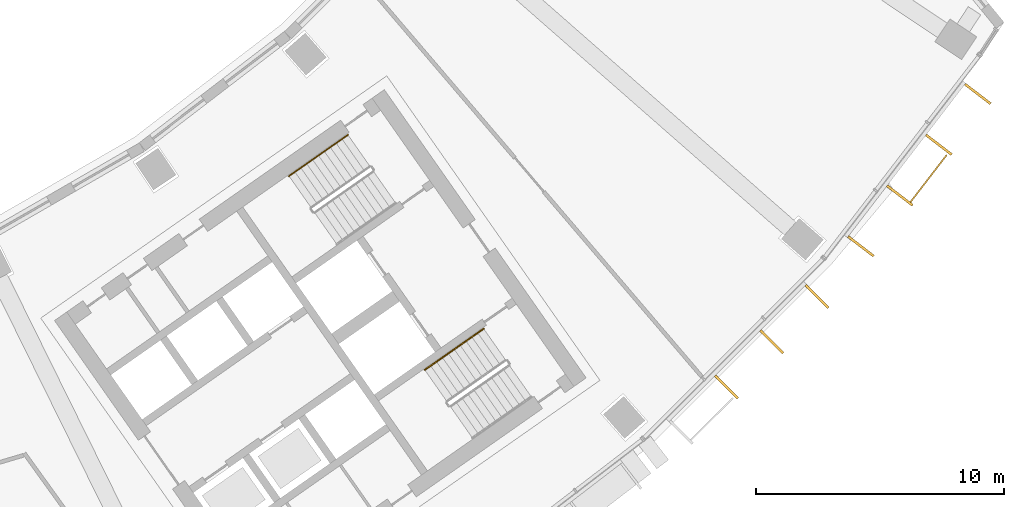
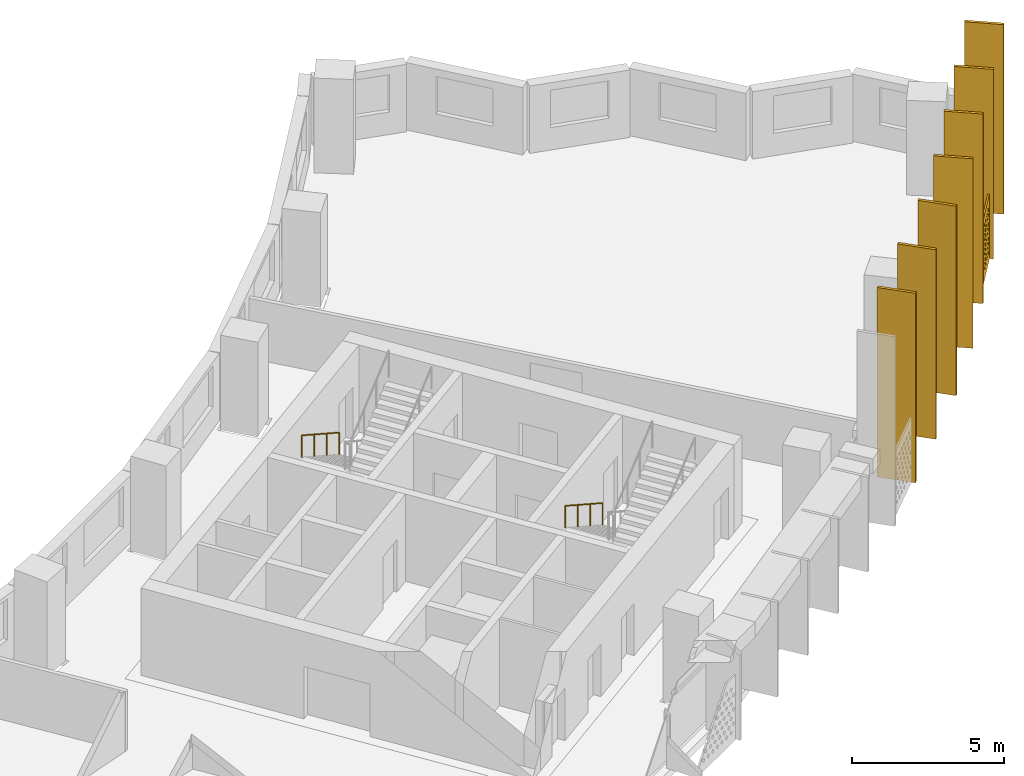
# One storey, part 29 of 31: 8 shading devices, 2 railings.
"""IFC4 building model written with IfcOpenShell, lengths in metres."""

from ifc_helpers import new_model, si_unit, direction, frame, origin, origin_2d, place, context, subcontext, project, spatial, polyline, rectangle, circle, outline, extrude, material, material_profile, profile_set, type_object, element, save


model = new_model("IFC4")

# Units and contexts
model_context = context("Model", 3, precision=1e-05, world=origin(), true_north=direction((0.0, 1.0)))
body_context = subcontext(model_context, "Body", "Model", "MODEL_VIEW")
ifc_project = project(units=[si_unit("LENGTHUNIT", "METRE"), si_unit("AREAUNIT", "SQUARE_METRE"), si_unit("VOLUMEUNIT", "CUBIC_METRE"), si_unit("PLANEANGLEUNIT", "RADIAN"), si_unit("MASSUNIT", "GRAM", prefix="KILO")], contexts=[model_context])

# Site, building, storey
site_placement = place(None, origin())
site = spatial("IfcSite", under=ifc_project, at=site_placement, CompositionType="ELEMENT")
building_placement = place(site_placement, origin())
building = spatial("IfcBuilding", under=site, at=building_placement, Name="Qamariyya Broadcast Tower", CompositionType="ELEMENT")
storey_placement = place(building_placement, frame((0.0, 0.0, 149.300048828125)))
storey = spatial("IfcBuildingStorey", under=building, at=storey_placement, Name="L34", CompositionType="ELEMENT", Elevation=149.300048828125)

# Shading device
ifc_material_1 = material(Name="Perforated glazed terracotta", Category="masonry")
ifc_material_profile_1 = material_profile(ifc_material_1, outline(polyline([(-1.199951171875, -1.300048828125), (1.199951171875, -1.300048828125), (1.199951171875, 1.300048828125), (-1.199951171875, 1.300048828125), (-1.199951171875, -1.300048828125)]), holes=[polyline([(-0.81494140625, -0.86669921875), (-0.89990234375, -0.78173828125), (-0.985107421875, -0.86669921875), (-0.89990234375, -0.95166015625), (-0.81494140625, -0.86669921875)]), polyline([(-0.514892578125, -0.86669921875), (-0.60009765625, -0.78173828125), (-0.68505859375, -0.86669921875), (-0.60009765625, -0.95166015625), (-0.514892578125, -0.86669921875)]), polyline([(-0.215087890625, -0.86669921875), (-0.300048828125, -0.78173828125), (-0.385009765625, -0.86669921875), (-0.300048828125, -0.95166015625), (-0.215087890625, -0.86669921875)]), polyline([(0.0849609375, -0.86669921875), (0.0, -0.78173828125), (-0.0849609375, -0.86669921875), (0.0, -0.95166015625), (0.0849609375, -0.86669921875)]), polyline([(0.385009765625, -0.86669921875), (0.300048828125, -0.78173828125), (0.215087890625, -0.86669921875), (0.300048828125, -0.95166015625), (0.385009765625, -0.86669921875)]), polyline([(0.68505859375, -0.86669921875), (0.60009765625, -0.78173828125), (0.514892578125, -0.86669921875), (0.60009765625, -0.95166015625), (0.68505859375, -0.86669921875)]), polyline([(0.985107421875, -0.86669921875), (0.89990234375, -0.78173828125), (0.81494140625, -0.86669921875), (0.89990234375, -0.95166015625), (0.985107421875, -0.86669921875)]), polyline([(-0.965087890625, -0.577880859375), (-1.050048828125, -0.49267578125), (-1.135009765625, -0.577880859375), (-1.050048828125, -0.662841796875), (-0.965087890625, -0.577880859375)]), polyline([(-0.6650390625, -0.577880859375), (-0.75, -0.49267578125), (-0.8349609375, -0.577880859375), (-0.75, -0.662841796875), (-0.6650390625, -0.577880859375)]), polyline([(-0.364990234375, -0.577880859375), (-0.449951171875, -0.49267578125), (-0.534912109375, -0.577880859375), (-0.449951171875, -0.662841796875), (-0.364990234375, -0.577880859375)]), polyline([(-0.06494140625, -0.577880859375), (-0.14990234375, -0.49267578125), (-0.235107421875, -0.577880859375), (-0.14990234375, -0.662841796875), (-0.06494140625, -0.577880859375)]), polyline([(0.235107421875, -0.577880859375), (0.14990234375, -0.49267578125), (0.06494140625, -0.577880859375), (0.14990234375, -0.662841796875), (0.235107421875, -0.577880859375)]), polyline([(0.534912109375, -0.577880859375), (0.449951171875, -0.49267578125), (0.364990234375, -0.577880859375), (0.449951171875, -0.662841796875), (0.534912109375, -0.577880859375)]), polyline([(0.8349609375, -0.577880859375), (0.75, -0.49267578125), (0.6650390625, -0.577880859375), (0.75, -0.662841796875), (0.8349609375, -0.577880859375)]), polyline([(1.135009765625, -0.577880859375), (1.050048828125, -0.49267578125), (0.965087890625, -0.577880859375), (1.050048828125, -0.662841796875), (1.135009765625, -0.577880859375)]), polyline([(-0.81494140625, -0.288818359375), (-0.89990234375, -0.203857421875), (-0.985107421875, -0.288818359375), (-0.89990234375, -0.373779296875), (-0.81494140625, -0.288818359375)]), polyline([(-0.514892578125, -0.288818359375), (-0.60009765625, -0.203857421875), (-0.68505859375, -0.288818359375), (-0.60009765625, -0.373779296875), (-0.514892578125, -0.288818359375)]), polyline([(-0.215087890625, -0.288818359375), (-0.300048828125, -0.203857421875), (-0.385009765625, -0.288818359375), (-0.300048828125, -0.373779296875), (-0.215087890625, -0.288818359375)]), polyline([(0.0849609375, -0.288818359375), (0.0, -0.203857421875), (-0.0849609375, -0.288818359375), (0.0, -0.373779296875), (0.0849609375, -0.288818359375)]), polyline([(0.385009765625, -0.288818359375), (0.300048828125, -0.203857421875), (0.215087890625, -0.288818359375), (0.300048828125, -0.373779296875), (0.385009765625, -0.288818359375)]), polyline([(0.68505859375, -0.288818359375), (0.60009765625, -0.203857421875), (0.514892578125, -0.288818359375), (0.60009765625, -0.373779296875), (0.68505859375, -0.288818359375)]), polyline([(0.985107421875, -0.288818359375), (0.89990234375, -0.203857421875), (0.81494140625, -0.288818359375), (0.89990234375, -0.373779296875), (0.985107421875, -0.288818359375)]), polyline([(-0.965087890625, 0.0), (-1.050048828125, 0.0849609375), (-1.135009765625, 0.0), (-1.050048828125, -0.0849609375), (-0.965087890625, 0.0)]), polyline([(-0.6650390625, 0.0), (-0.75, 0.0849609375), (-0.8349609375, 0.0), (-0.75, -0.0849609375), (-0.6650390625, 0.0)]), polyline([(-0.364990234375, 0.0), (-0.449951171875, 0.0849609375), (-0.534912109375, 0.0), (-0.449951171875, -0.0849609375), (-0.364990234375, 0.0)]), polyline([(-0.06494140625, 0.0), (-0.14990234375, 0.0849609375), (-0.235107421875, 0.0), (-0.14990234375, -0.0849609375), (-0.06494140625, 0.0)]), polyline([(0.235107421875, 0.0), (0.14990234375, 0.0849609375), (0.06494140625, 0.0), (0.14990234375, -0.0849609375), (0.235107421875, 0.0)]), polyline([(0.534912109375, 0.0), (0.449951171875, 0.0849609375), (0.364990234375, 0.0), (0.449951171875, -0.0849609375), (0.534912109375, 0.0)]), polyline([(0.8349609375, 0.0), (0.75, 0.0849609375), (0.6650390625, 0.0), (0.75, -0.0849609375), (0.8349609375, 0.0)]), polyline([(1.135009765625, 0.0), (1.050048828125, 0.0849609375), (0.965087890625, 0.0), (1.050048828125, -0.0849609375), (1.135009765625, 0.0)]), polyline([(-0.81494140625, 0.288818359375), (-0.89990234375, 0.373779296875), (-0.985107421875, 0.288818359375), (-0.89990234375, 0.203857421875), (-0.81494140625, 0.288818359375)]), polyline([(-0.514892578125, 0.288818359375), (-0.60009765625, 0.373779296875), (-0.68505859375, 0.288818359375), (-0.60009765625, 0.203857421875), (-0.514892578125, 0.288818359375)]), polyline([(-0.215087890625, 0.288818359375), (-0.300048828125, 0.373779296875), (-0.385009765625, 0.288818359375), (-0.300048828125, 0.203857421875), (-0.215087890625, 0.288818359375)]), polyline([(0.0849609375, 0.288818359375), (0.0, 0.373779296875), (-0.0849609375, 0.288818359375), (0.0, 0.203857421875), (0.0849609375, 0.288818359375)]), polyline([(0.385009765625, 0.288818359375), (0.300048828125, 0.373779296875), (0.215087890625, 0.288818359375), (0.300048828125, 0.203857421875), (0.385009765625, 0.288818359375)]), polyline([(0.68505859375, 0.288818359375), (0.60009765625, 0.373779296875), (0.514892578125, 0.288818359375), (0.60009765625, 0.203857421875), (0.68505859375, 0.288818359375)]), polyline([(0.985107421875, 0.288818359375), (0.89990234375, 0.373779296875), (0.81494140625, 0.288818359375), (0.89990234375, 0.203857421875), (0.985107421875, 0.288818359375)]), polyline([(-0.965087890625, 0.577880859375), (-1.050048828125, 0.662841796875), (-1.135009765625, 0.577880859375), (-1.050048828125, 0.49267578125), (-0.965087890625, 0.577880859375)]), polyline([(-0.6650390625, 0.577880859375), (-0.75, 0.662841796875), (-0.8349609375, 0.577880859375), (-0.75, 0.49267578125), (-0.6650390625, 0.577880859375)]), polyline([(-0.364990234375, 0.577880859375), (-0.449951171875, 0.662841796875), (-0.534912109375, 0.577880859375), (-0.449951171875, 0.49267578125), (-0.364990234375, 0.577880859375)]), polyline([(-0.06494140625, 0.577880859375), (-0.14990234375, 0.662841796875), (-0.235107421875, 0.577880859375), (-0.14990234375, 0.49267578125), (-0.06494140625, 0.577880859375)]), polyline([(0.235107421875, 0.577880859375), (0.14990234375, 0.662841796875), (0.06494140625, 0.577880859375), (0.14990234375, 0.49267578125), (0.235107421875, 0.577880859375)]), polyline([(0.534912109375, 0.577880859375), (0.449951171875, 0.662841796875), (0.364990234375, 0.577880859375), (0.449951171875, 0.49267578125), (0.534912109375, 0.577880859375)]), polyline([(0.8349609375, 0.577880859375), (0.75, 0.662841796875), (0.6650390625, 0.577880859375), (0.75, 0.49267578125), (0.8349609375, 0.577880859375)]), polyline([(1.135009765625, 0.577880859375), (1.050048828125, 0.662841796875), (0.965087890625, 0.577880859375), (1.050048828125, 0.49267578125), (1.135009765625, 0.577880859375)]), polyline([(-0.81494140625, 0.86669921875), (-0.89990234375, 0.95166015625), (-0.985107421875, 0.86669921875), (-0.89990234375, 0.78173828125), (-0.81494140625, 0.86669921875)]), polyline([(-0.514892578125, 0.86669921875), (-0.60009765625, 0.95166015625), (-0.68505859375, 0.86669921875), (-0.60009765625, 0.78173828125), (-0.514892578125, 0.86669921875)]), polyline([(-0.215087890625, 0.86669921875), (-0.300048828125, 0.95166015625), (-0.385009765625, 0.86669921875), (-0.300048828125, 0.78173828125), (-0.215087890625, 0.86669921875)]), polyline([(0.0849609375, 0.86669921875), (0.0, 0.95166015625), (-0.0849609375, 0.86669921875), (0.0, 0.78173828125), (0.0849609375, 0.86669921875)]), polyline([(0.385009765625, 0.86669921875), (0.300048828125, 0.95166015625), (0.215087890625, 0.86669921875), (0.300048828125, 0.78173828125), (0.385009765625, 0.86669921875)]), polyline([(0.68505859375, 0.86669921875), (0.60009765625, 0.95166015625), (0.514892578125, 0.86669921875), (0.60009765625, 0.78173828125), (0.68505859375, 0.86669921875)]), polyline([(0.985107421875, 0.86669921875), (0.89990234375, 0.95166015625), (0.81494140625, 0.86669921875), (0.89990234375, 0.78173828125), (0.985107421875, 0.86669921875)])]))
ifc_profile_set_1 = profile_set([ifc_material_profile_1], Name="Perforated glazed terracotta")
shading_device_type_1 = type_object("IfcShadingDeviceType", Name="Perforated terracotta screen 2400 x 2600", PredefinedType="USERDEFINED", material=ifc_profile_set_1)
shading_device_placement = place(storey_placement, frame((63.52294921875, -48.79541015625, 1.349853515625), z_axis=(0.792623989105, -0.60971076085, 0.0), x_axis=(0.60971076085, 0.792623989105, 0.0)))
element("IfcShadingDevice", 1, at=shading_device_placement, inside=storey, type_object=shading_device_type_1, Name="e-scr-L34-14-1", ObjectType="SCREEN", PredefinedType="USERDEFINED", context=body_context, shape_type="SweptSolid", body=[
    extrude(outline(polyline([(-1.199951171875, -1.300048828125), (1.199951171875, -1.300048828125), (1.199951171875, 1.300048828125), (-1.199951171875, 1.300048828125), (-1.199951171875, -1.300048828125)]), holes=[polyline([(-0.81494140625, -0.86669921875), (-0.89990234375, -0.78173828125), (-0.985107421875, -0.86669921875), (-0.89990234375, -0.95166015625), (-0.81494140625, -0.86669921875)]), polyline([(-0.514892578125, -0.86669921875), (-0.60009765625, -0.78173828125), (-0.68505859375, -0.86669921875), (-0.60009765625, -0.95166015625), (-0.514892578125, -0.86669921875)]), polyline([(-0.215087890625, -0.86669921875), (-0.300048828125, -0.78173828125), (-0.385009765625, -0.86669921875), (-0.300048828125, -0.95166015625), (-0.215087890625, -0.86669921875)]), polyline([(0.0849609375, -0.86669921875), (0.0, -0.78173828125), (-0.0849609375, -0.86669921875), (0.0, -0.95166015625), (0.0849609375, -0.86669921875)]), polyline([(0.385009765625, -0.86669921875), (0.300048828125, -0.78173828125), (0.215087890625, -0.86669921875), (0.300048828125, -0.95166015625), (0.385009765625, -0.86669921875)]), polyline([(0.68505859375, -0.86669921875), (0.60009765625, -0.78173828125), (0.514892578125, -0.86669921875), (0.60009765625, -0.95166015625), (0.68505859375, -0.86669921875)]), polyline([(0.985107421875, -0.86669921875), (0.89990234375, -0.78173828125), (0.81494140625, -0.86669921875), (0.89990234375, -0.95166015625), (0.985107421875, -0.86669921875)]), polyline([(-0.965087890625, -0.577880859375), (-1.050048828125, -0.49267578125), (-1.135009765625, -0.577880859375), (-1.050048828125, -0.662841796875), (-0.965087890625, -0.577880859375)]), polyline([(-0.6650390625, -0.577880859375), (-0.75, -0.49267578125), (-0.8349609375, -0.577880859375), (-0.75, -0.662841796875), (-0.6650390625, -0.577880859375)]), polyline([(-0.364990234375, -0.577880859375), (-0.449951171875, -0.49267578125), (-0.534912109375, -0.577880859375), (-0.449951171875, -0.662841796875), (-0.364990234375, -0.577880859375)]), polyline([(-0.06494140625, -0.577880859375), (-0.14990234375, -0.49267578125), (-0.235107421875, -0.577880859375), (-0.14990234375, -0.662841796875), (-0.06494140625, -0.577880859375)]), polyline([(0.235107421875, -0.577880859375), (0.14990234375, -0.49267578125), (0.06494140625, -0.577880859375), (0.14990234375, -0.662841796875), (0.235107421875, -0.577880859375)]), polyline([(0.534912109375, -0.577880859375), (0.449951171875, -0.49267578125), (0.364990234375, -0.577880859375), (0.449951171875, -0.662841796875), (0.534912109375, -0.577880859375)]), polyline([(0.8349609375, -0.577880859375), (0.75, -0.49267578125), (0.6650390625, -0.577880859375), (0.75, -0.662841796875), (0.8349609375, -0.577880859375)]), polyline([(1.135009765625, -0.577880859375), (1.050048828125, -0.49267578125), (0.965087890625, -0.577880859375), (1.050048828125, -0.662841796875), (1.135009765625, -0.577880859375)]), polyline([(-0.81494140625, -0.288818359375), (-0.89990234375, -0.203857421875), (-0.985107421875, -0.288818359375), (-0.89990234375, -0.373779296875), (-0.81494140625, -0.288818359375)]), polyline([(-0.514892578125, -0.288818359375), (-0.60009765625, -0.203857421875), (-0.68505859375, -0.288818359375), (-0.60009765625, -0.373779296875), (-0.514892578125, -0.288818359375)]), polyline([(-0.215087890625, -0.288818359375), (-0.300048828125, -0.203857421875), (-0.385009765625, -0.288818359375), (-0.300048828125, -0.373779296875), (-0.215087890625, -0.288818359375)]), polyline([(0.0849609375, -0.288818359375), (0.0, -0.203857421875), (-0.0849609375, -0.288818359375), (0.0, -0.373779296875), (0.0849609375, -0.288818359375)]), polyline([(0.385009765625, -0.288818359375), (0.300048828125, -0.203857421875), (0.215087890625, -0.288818359375), (0.300048828125, -0.373779296875), (0.385009765625, -0.288818359375)]), polyline([(0.68505859375, -0.288818359375), (0.60009765625, -0.203857421875), (0.514892578125, -0.288818359375), (0.60009765625, -0.373779296875), (0.68505859375, -0.288818359375)]), polyline([(0.985107421875, -0.288818359375), (0.89990234375, -0.203857421875), (0.81494140625, -0.288818359375), (0.89990234375, -0.373779296875), (0.985107421875, -0.288818359375)]), polyline([(-0.965087890625, 0.0), (-1.050048828125, 0.0849609375), (-1.135009765625, 0.0), (-1.050048828125, -0.0849609375), (-0.965087890625, 0.0)]), polyline([(-0.6650390625, 0.0), (-0.75, 0.0849609375), (-0.8349609375, 0.0), (-0.75, -0.0849609375), (-0.6650390625, 0.0)]), polyline([(-0.364990234375, 0.0), (-0.449951171875, 0.0849609375), (-0.534912109375, 0.0), (-0.449951171875, -0.0849609375), (-0.364990234375, 0.0)]), polyline([(-0.06494140625, 0.0), (-0.14990234375, 0.0849609375), (-0.235107421875, 0.0), (-0.14990234375, -0.0849609375), (-0.06494140625, 0.0)]), polyline([(0.235107421875, 0.0), (0.14990234375, 0.0849609375), (0.06494140625, 0.0), (0.14990234375, -0.0849609375), (0.235107421875, 0.0)]), polyline([(0.534912109375, 0.0), (0.449951171875, 0.0849609375), (0.364990234375, 0.0), (0.449951171875, -0.0849609375), (0.534912109375, 0.0)]), polyline([(0.8349609375, 0.0), (0.75, 0.0849609375), (0.6650390625, 0.0), (0.75, -0.0849609375), (0.8349609375, 0.0)]), polyline([(1.135009765625, 0.0), (1.050048828125, 0.0849609375), (0.965087890625, 0.0), (1.050048828125, -0.0849609375), (1.135009765625, 0.0)]), polyline([(-0.81494140625, 0.288818359375), (-0.89990234375, 0.373779296875), (-0.985107421875, 0.288818359375), (-0.89990234375, 0.203857421875), (-0.81494140625, 0.288818359375)]), polyline([(-0.514892578125, 0.288818359375), (-0.60009765625, 0.373779296875), (-0.68505859375, 0.288818359375), (-0.60009765625, 0.203857421875), (-0.514892578125, 0.288818359375)]), polyline([(-0.215087890625, 0.288818359375), (-0.300048828125, 0.373779296875), (-0.385009765625, 0.288818359375), (-0.300048828125, 0.203857421875), (-0.215087890625, 0.288818359375)]), polyline([(0.0849609375, 0.288818359375), (0.0, 0.373779296875), (-0.0849609375, 0.288818359375), (0.0, 0.203857421875), (0.0849609375, 0.288818359375)]), polyline([(0.385009765625, 0.288818359375), (0.300048828125, 0.373779296875), (0.215087890625, 0.288818359375), (0.300048828125, 0.203857421875), (0.385009765625, 0.288818359375)]), polyline([(0.68505859375, 0.288818359375), (0.60009765625, 0.373779296875), (0.514892578125, 0.288818359375), (0.60009765625, 0.203857421875), (0.68505859375, 0.288818359375)]), polyline([(0.985107421875, 0.288818359375), (0.89990234375, 0.373779296875), (0.81494140625, 0.288818359375), (0.89990234375, 0.203857421875), (0.985107421875, 0.288818359375)]), polyline([(-0.965087890625, 0.577880859375), (-1.050048828125, 0.662841796875), (-1.135009765625, 0.577880859375), (-1.050048828125, 0.49267578125), (-0.965087890625, 0.577880859375)]), polyline([(-0.6650390625, 0.577880859375), (-0.75, 0.662841796875), (-0.8349609375, 0.577880859375), (-0.75, 0.49267578125), (-0.6650390625, 0.577880859375)]), polyline([(-0.364990234375, 0.577880859375), (-0.449951171875, 0.662841796875), (-0.534912109375, 0.577880859375), (-0.449951171875, 0.49267578125), (-0.364990234375, 0.577880859375)]), polyline([(-0.06494140625, 0.577880859375), (-0.14990234375, 0.662841796875), (-0.235107421875, 0.577880859375), (-0.14990234375, 0.49267578125), (-0.06494140625, 0.577880859375)]), polyline([(0.235107421875, 0.577880859375), (0.14990234375, 0.662841796875), (0.06494140625, 0.577880859375), (0.14990234375, 0.49267578125), (0.235107421875, 0.577880859375)]), polyline([(0.534912109375, 0.577880859375), (0.449951171875, 0.662841796875), (0.364990234375, 0.577880859375), (0.449951171875, 0.49267578125), (0.534912109375, 0.577880859375)]), polyline([(0.8349609375, 0.577880859375), (0.75, 0.662841796875), (0.6650390625, 0.577880859375), (0.75, 0.49267578125), (0.8349609375, 0.577880859375)]), polyline([(1.135009765625, 0.577880859375), (1.050048828125, 0.662841796875), (0.965087890625, 0.577880859375), (1.050048828125, 0.49267578125), (1.135009765625, 0.577880859375)]), polyline([(-0.81494140625, 0.86669921875), (-0.89990234375, 0.95166015625), (-0.985107421875, 0.86669921875), (-0.89990234375, 0.78173828125), (-0.81494140625, 0.86669921875)]), polyline([(-0.514892578125, 0.86669921875), (-0.60009765625, 0.95166015625), (-0.68505859375, 0.86669921875), (-0.60009765625, 0.78173828125), (-0.514892578125, 0.86669921875)]), polyline([(-0.215087890625, 0.86669921875), (-0.300048828125, 0.95166015625), (-0.385009765625, 0.86669921875), (-0.300048828125, 0.78173828125), (-0.215087890625, 0.86669921875)]), polyline([(0.0849609375, 0.86669921875), (0.0, 0.95166015625), (-0.0849609375, 0.86669921875), (0.0, 0.78173828125), (0.0849609375, 0.86669921875)]), polyline([(0.385009765625, 0.86669921875), (0.300048828125, 0.95166015625), (0.215087890625, 0.86669921875), (0.300048828125, 0.78173828125), (0.385009765625, 0.86669921875)]), polyline([(0.68505859375, 0.86669921875), (0.60009765625, 0.95166015625), (0.514892578125, 0.86669921875), (0.60009765625, 0.78173828125), (0.68505859375, 0.86669921875)]), polyline([(0.985107421875, 0.86669921875), (0.89990234375, 0.95166015625), (0.81494140625, 0.86669921875), (0.89990234375, 0.78173828125), (0.985107421875, 0.86669921875)])]), origin(), (0.0, 0.0, 1.0), 0.06005859375),
])

# Railings
ifc_material_2 = material(Name="Stainless steel", Category="steel")
railing_type = type_object("IfcRailingType", Name="Stair handrail", PredefinedType="HANDRAIL", material=ifc_material_2)
railing_1_placement = place(storey_placement, frame((40.1142578125, -47.05029296875, 0.172607421875)))
element("IfcRailing", 2, at=railing_1_placement, inside=storey, type_object=railing_type, Name="L34 ST-E2 stair handrail 1", PredefinedType="HANDRAIL", context=body_context, shape_type="SweptSolid", body=[
    extrude(circle(Radius=0.02392578125, at=origin_2d()), frame((0.0, 0.0, 0.8759765625), z_axis=(-0.703745009021, -0.492838488332, 0.511715923826), x_axis=(0.573631830683, -0.819113253969, 0.0)), (0.0, 0.0, 1.0), 3.37548828125),
    extrude(circle(Radius=0.02099609375, at=origin_2d()), origin(), (0.0, 0.0, 1.0), 0.851806640625),
    extrude(circle(Radius=0.02099609375, at=origin_2d()), frame((-0.791748046875, -0.554443359375, 0.57568359375)), (0.0, 0.0, 1.0), 0.851806640625),
    extrude(circle(Radius=0.02099609375, at=origin_2d()), frame((-1.583740234375, -1.109130859375, 1.151611328125)), (0.0, 0.0, 1.0), 0.851806640625),
    extrude(circle(Radius=0.02099609375, at=origin_2d()), frame((-2.37548828125, -1.66357421875, 1.727294921875)), (0.0, 0.0, 1.0), 0.851806640625),
])
railing_2_placement = place(storey_placement, frame((45.591796875, -54.873291015625, 0.172607421875)))
element("IfcRailing", 3, at=railing_2_placement, inside=storey, type_object=railing_type, Name="L34 ST-E1 stair handrail 1", PredefinedType="HANDRAIL", context=body_context, shape_type="SweptSolid", body=[
    extrude(circle(Radius=0.02392578125, at=origin_2d()), frame((0.0, 0.0, 0.8759765625), z_axis=(-0.703770094002, -0.492783725636, 0.511734163933), x_axis=(0.573575343427, -0.819152809562, 0.0)), (0.0, 0.0, 1.0), 3.37548828125),
    extrude(circle(Radius=0.02099609375, at=origin_2d()), origin(), (0.0, 0.0, 1.0), 0.851806640625),
    extrude(circle(Radius=0.02099609375, at=origin_2d()), frame((-0.791748046875, -0.554443359375, 0.57568359375)), (0.0, 0.0, 1.0), 0.851806640625),
    extrude(circle(Radius=0.02099609375, at=origin_2d()), frame((-1.583740234375, -1.10888671875, 1.151611328125)), (0.0, 0.0, 1.0), 0.851806640625),
    extrude(circle(Radius=0.02099609375, at=origin_2d()), frame((-2.37548828125, -1.663330078125, 1.727294921875)), (0.0, 0.0, 1.0), 0.851806640625),
])

# Shading devices
ifc_material_3 = material(Name="Glazed terracotta", Category="masonry")
ifc_material_profile_2 = material_profile(ifc_material_3, rectangle(XDim=1.300048828125, YDim=0.10009765625, at=origin_2d()))
ifc_profile_set_2 = profile_set([ifc_material_profile_2], Name="Glazed terracotta")
shading_device_type_2 = type_object("IfcShadingDeviceType", Name="Terracotta fin 100 x 1300", PredefinedType="USERDEFINED", material=ifc_profile_set_2)
for number, where, z_axis, x_axis, name in (
    (4, (55.39404296875, -57.220947265625, 0.0), (0.0, 0.0, 1.0), (0.707106781187, -0.707106781187, 0.0), "e-fin-L34-13-1"),
    (5, (57.220947265625, -55.39404296875, 0.0), (0.0, 0.0, 1.0), (0.707106781187, -0.707106781187, 0.0), "e-fin-L34-13-2"),
    (6, (59.047607421875, -53.5673828125, 0.0), (0.0, 0.0, 1.0), (0.707106781187, -0.707106781187, 0.0), "e-fin-L34-13-3"),
    (7, (60.81640625, -51.550537109375, 0.0), (0.0, 0.0, 1.0), (0.793353340291, -0.608761429009, 0.0), "e-fin-L34-14-0"),
    (8, (62.38916015625, -49.5009765625, 0.0), (0.0, 0.0, 1.0), (0.793353340291, -0.608761429009, 0.0), "e-fin-L34-14-1"),
    (9, (63.961669921875, -47.451416015625, 0.0), (0.0, 0.0, 1.0), (0.793353340291, -0.608761429009, 0.0), "e-fin-L34-14-2"),
    (10, (65.534423828125, -45.40185546875, 0.0), (0.0, 0.0, 1.0), (0.793353340291, -0.608761429009, 0.0), "e-fin-L34-14-3"),
):
    element("IfcShadingDevice", number, at=place(storey_placement, frame(where, z_axis=z_axis, x_axis=x_axis)), inside=storey, type_object=shading_device_type_2, Name=name, ObjectType="FIN", PredefinedType="USERDEFINED", context=body_context, shape_type="SweptSolid", body=[
        extrude(rectangle(XDim=1.300048828125, YDim=0.10009765625, at=origin_2d()), origin(), (0.0, 0.0, 1.0), 7.599853515625),
    ])

save(model, "model.ifc")
